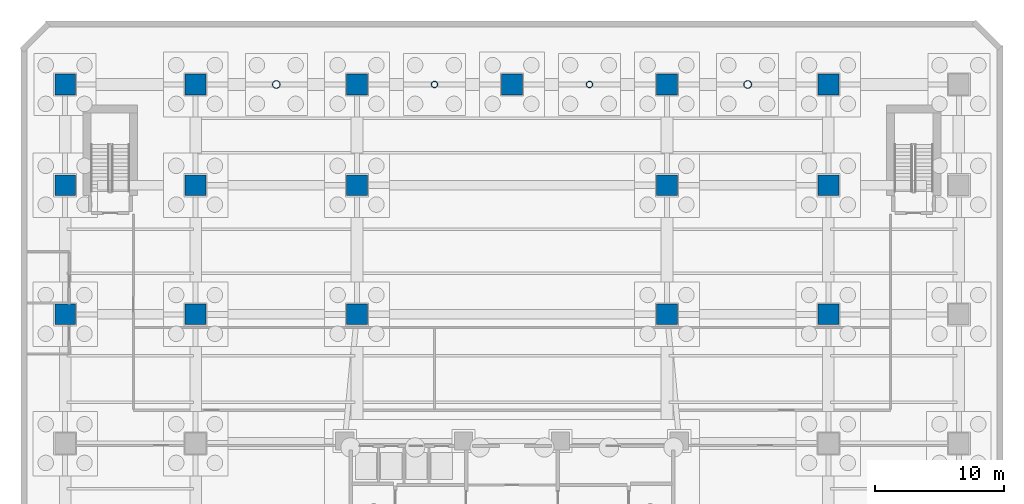
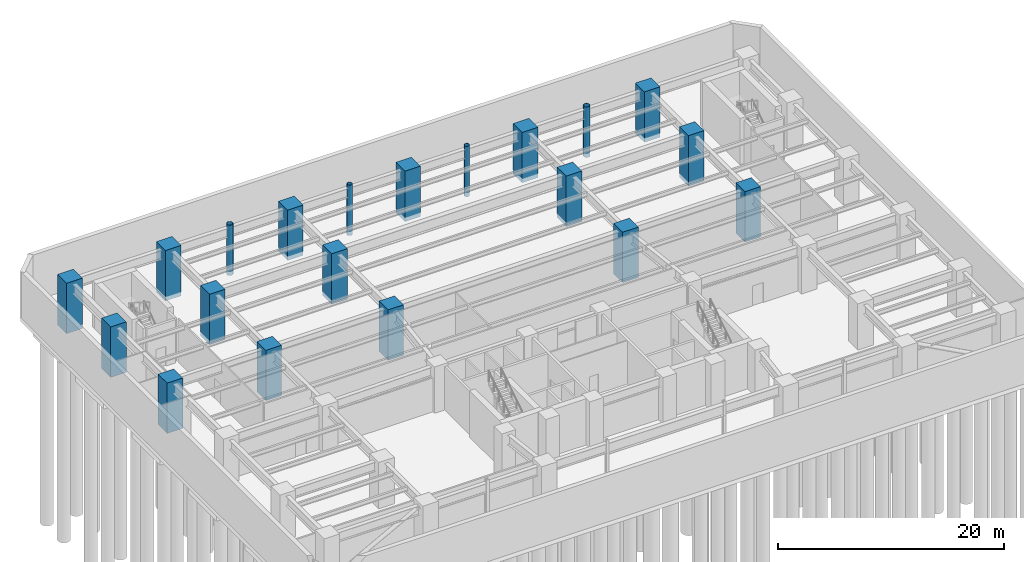
# One storey, part 5 of 15: 20 columns.
"""IFC4 building model written with IfcOpenShell, lengths in metres."""

from ifc_helpers import new_model, si_unit, direction, frame, origin, origin_2d, place, context, subcontext, project, spatial, rectangle, hollow_circle, extrude, material, material_profile, profile_set, type_object, element, save


model = new_model("IFC4")

# Units and contexts
model_context = context("Model", 3, precision=1e-05, world=origin(), true_north=direction((0.0, 1.0)))
body_context = subcontext(model_context, "Body", "Model", "MODEL_VIEW")
ifc_project = project(units=[si_unit("LENGTHUNIT", "METRE"), si_unit("AREAUNIT", "SQUARE_METRE"), si_unit("VOLUMEUNIT", "CUBIC_METRE"), si_unit("PLANEANGLEUNIT", "RADIAN"), si_unit("MASSUNIT", "GRAM", prefix="KILO")], contexts=[model_context])

# Site, building, storey
site_placement = place(None, origin())
site = spatial("IfcSite", under=ifc_project, at=site_placement, CompositionType="ELEMENT")
building_placement = place(site_placement, origin())
building = spatial("IfcBuilding", under=site, at=building_placement, Name="Quenlor Broadcast Tower", CompositionType="ELEMENT")
storey_placement = place(building_placement, frame((0.0, 0.0, -10.0)))
storey = spatial("IfcBuildingStorey", under=building, at=storey_placement, Name="B02", CompositionType="ELEMENT", Elevation=-10.0)

# Columns
ifc_material_1 = material(Name="Concrete C65/80", Category="concrete")
ifc_material_profile_1 = material_profile(ifc_material_1, rectangle(XDim=1.60009765625, YDim=1.60009765625, at=origin_2d()))
ifc_profile_set_1 = profile_set([ifc_material_profile_1], Name="Concrete C65/80 RC1600x1600")
column_type_1 = type_object("IfcColumnType", Name="Podium Mega Column Concrete C65/80 1600", PredefinedType="COLUMN", material=ifc_profile_set_1)
for number, where, z_axis, x_axis, name in (
    (1, (-34.60009765625, 5.0, -0.449951171875), (0.0, 0.0, 1.0), (1.0, 0.0, 0.0), "B02 Podium Mega Column PM15"),
    (2, (-24.5, 5.0, -0.449951171875), (0.0, 0.0, 1.0), (1.0, 0.0, 0.0), "B02 Podium Mega Column PM16"),
    (3, (-12.0, 5.0, -0.449951171875), (0.0, 0.0, 1.0), (1.0, 0.0, 0.0), "B02 Podium Mega Column PM17"),
    (4, (12.0, 5.0, -0.449951171875), (0.0, 0.0, 1.0), (1.0, 0.0, 0.0), "B02 Podium Mega Column PM18"),
    (5, (24.5, 5.0, -0.449951171875), (0.0, 0.0, 1.0), (1.0, 0.0, 0.0), "B02 Podium Mega Column PM19"),
    (6, (-34.60009765625, 15.0, -0.449951171875), (0.0, 0.0, 1.0), (1.0, 0.0, 0.0), "B02 Podium Mega Column PM21"),
    (7, (-24.5, 15.0, -0.449951171875), (0.0, 0.0, 1.0), (1.0, 0.0, 0.0), "B02 Podium Mega Column PM22"),
    (8, (-12.0, 15.0, -0.449951171875), (0.0, 0.0, 1.0), (1.0, 0.0, 0.0), "B02 Podium Mega Column PM23"),
    (9, (12.0, 15.0, -0.449951171875), (0.0, 0.0, 1.0), (1.0, 0.0, 0.0), "B02 Podium Mega Column PM24"),
    (10, (24.5, 15.0, -0.449951171875), (0.0, 0.0, 1.0), (1.0, 0.0, 0.0), "B02 Podium Mega Column PM25"),
    (11, (-34.60009765625, 22.800048828125, -0.449951171875), (0.0, 0.0, 1.0), (1.0, 0.0, 0.0), "B02 Podium Mega Column PM27"),
    (12, (-24.5, 22.800048828125, -0.449951171875), (0.0, 0.0, 1.0), (1.0, 0.0, 0.0), "B02 Podium Mega Column PM28"),
    (13, (-12.0, 22.800048828125, -0.449951171875), (0.0, 0.0, 1.0), (1.0, 0.0, 0.0), "B02 Podium Mega Column PM29"),
    (14, (0.0, 22.800048828125, -0.449951171875), (0.0, 0.0, 1.0), (1.0, 0.0, 0.0), "B02 Podium Mega Column PM30"),
    (15, (12.0, 22.800048828125, -0.449951171875), (0.0, 0.0, 1.0), (1.0, 0.0, 0.0), "B02 Podium Mega Column PM31"),
    (16, (24.5, 22.800048828125, -0.449951171875), (0.0, 0.0, 1.0), (1.0, 0.0, 0.0), "B02 Podium Mega Column PM32"),
):
    element("IfcColumn", number, at=place(storey_placement, frame(where, z_axis=z_axis, x_axis=x_axis)), inside=storey, type_object=column_type_1, Name=name, PredefinedType="COLUMN", context=body_context, shape_type="SweptSolid", body=[
        extrude(rectangle(XDim=1.60009765625, YDim=1.60009765625, at=origin_2d()), origin(), (0.0, 0.0, 1.0), 5.449951171875),
    ])
ifc_material_2 = material(Name="Steel S355", Category="steel")
ifc_material_profile_2 = material_profile(ifc_material_2, hollow_circle(Radius=0.304931640625, WallThickness=0.02490234375, at=origin_2d()))
ifc_profile_set_2 = profile_set([ifc_material_profile_2], Name="Steel S355 CHS610x25")
column_type_2 = type_object("IfcColumnType", Name="Station Concourse Column Steel S355 CHS610", PredefinedType="COLUMN", material=ifc_profile_set_2)
for number, where, z_axis, x_axis, name in (
    (17, (-18.25, 22.800048828125, -0.449951171875), (0.0, 0.0, 1.0), (1.0, 0.0, 0.0), "B02 Station Steel Column SCW1"),
    (18, (18.25, 22.800048828125, -0.449951171875), (0.0, 0.0, 1.0), (1.0, 0.0, 0.0), "B02 Station Steel Column SCE1"),
):
    element("IfcColumn", number, at=place(storey_placement, frame(where, z_axis=z_axis, x_axis=x_axis)), inside=storey, type_object=column_type_2, Name=name, PredefinedType="COLUMN", context=body_context, shape_type="SweptSolid", body=[
        extrude(hollow_circle(Radius=0.304931640625, WallThickness=0.02490234375, at=origin_2d()), origin(), (0.0, 0.0, 1.0), 5.449951171875),
    ])
ifc_material_3 = material(Name="Steel S355", Category="steel")
ifc_material_profile_3 = material_profile(ifc_material_3, hollow_circle(Radius=0.25390625, WallThickness=0.02197265625, at=origin_2d()))
ifc_profile_set_3 = profile_set([ifc_material_profile_3], Name="Steel S355 CHS508x22")
column_type_3 = type_object("IfcColumnType", Name="Station Portal Column Steel S355 CHS508", PredefinedType="COLUMN", material=ifc_profile_set_3)
for number, where, z_axis, x_axis, name in (
    (19, (-6.0, 22.800048828125, -0.449951171875), (0.0, 0.0, 1.0), (1.0, 0.0, 0.0), "B02 Station Steel Column SCW2"),
    (20, (6.0, 22.800048828125, -0.449951171875), (0.0, 0.0, 1.0), (1.0, 0.0, 0.0), "B02 Station Steel Column SCE2"),
):
    element("IfcColumn", number, at=place(storey_placement, frame(where, z_axis=z_axis, x_axis=x_axis)), inside=storey, type_object=column_type_3, Name=name, PredefinedType="COLUMN", context=body_context, shape_type="SweptSolid", body=[
        extrude(hollow_circle(Radius=0.25390625, WallThickness=0.02197265625, at=origin_2d()), origin(), (0.0, 0.0, 1.0), 5.449951171875),
    ])

save(model, "model.ifc")
